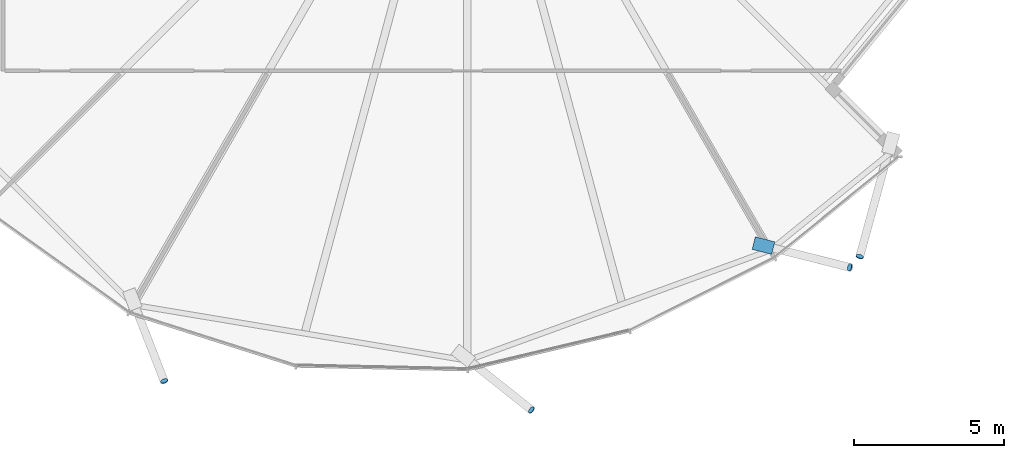
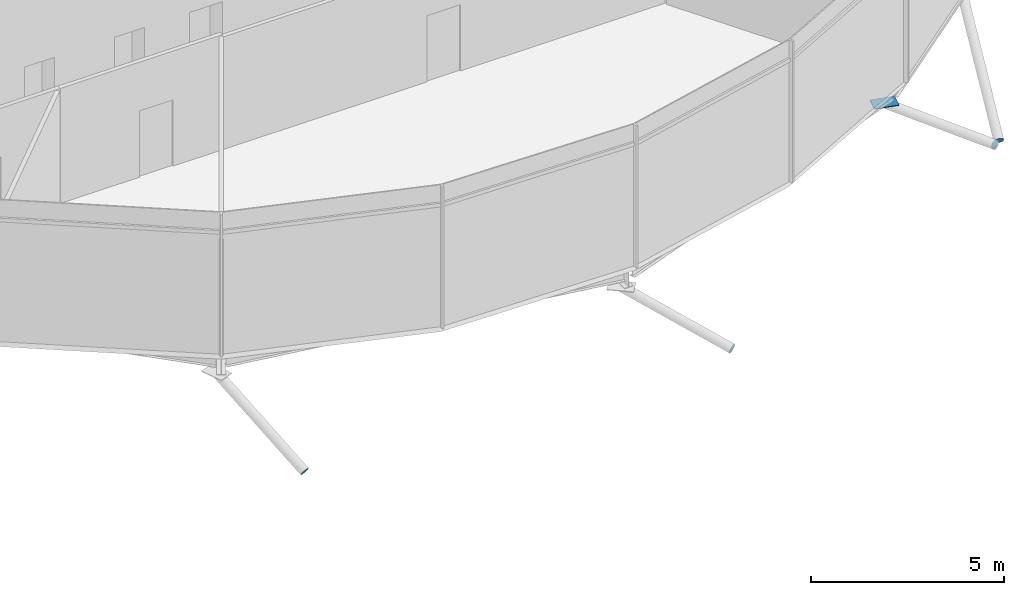
# One storey, part 32 of 36: 5 discrete accessories.
"""IFC4 building model written with IfcOpenShell, lengths in metres."""

from ifc_helpers import new_model, si_unit, direction, frame, origin, origin_2d, place, context, subcontext, project, spatial, polyline, rectangle, circle, outline, extrude, material, material_profile, profile_set, type_object, element, save


model = new_model("IFC4")

# Units and contexts
model_context = context("Model", 3, precision=1e-05, world=origin(), true_north=direction((0.0, 1.0)))
body_context = subcontext(model_context, "Body", "Model", "MODEL_VIEW")
ifc_project = project(units=[si_unit("LENGTHUNIT", "METRE"), si_unit("AREAUNIT", "SQUARE_METRE"), si_unit("VOLUMEUNIT", "CUBIC_METRE"), si_unit("PLANEANGLEUNIT", "RADIAN"), si_unit("MASSUNIT", "GRAM", prefix="KILO")], contexts=[model_context])

# Site, building, storey
site_placement = place(None, origin())
site = spatial("IfcSite", under=ifc_project, at=site_placement, CompositionType="ELEMENT")
building_placement = place(site_placement, origin())
building = spatial("IfcBuilding", under=site, at=building_placement, Name="Rimbun Link Towers", CompositionType="ELEMENT")
storey_placement = place(building_placement, frame((0.0, 0.0, 154.39990234375)))
storey = spatial("IfcBuildingStorey", under=building, at=storey_placement, Name="L37", CompositionType="ELEMENT", Elevation=154.39990234375)

# Discrete accessories
ifc_material_1 = material(Name="Steel S355J2H", Category="steel")
ifc_material_profile_1 = material_profile(ifc_material_1, circle(Radius=0.1240234375, at=origin_2d()), Name="PL D248")
ifc_profile_set_1 = profile_set([ifc_material_profile_1], Name="Steel S355J2H")
discrete_accessory_type_1 = type_object("IfcDiscreteAccessoryType", Name="Link foot sealing plate D248X20", PredefinedType="BRACKET", material=ifc_profile_set_1)
for number, where, z_axis, x_axis, name in (
    (1, (21.625, -21.85302734375, -2.72412109375), (0.303482100304, -0.78905346079, -0.534128496535), (0.933345606203, 0.358979079309, 0.0), "Link foot sealing plate T2 L37 13"),
    (2, (33.882080078125, -22.819580078125, -2.540283203125), (0.681458875301, -0.535431973451, -0.498925247988), (0.617821551932, 0.786318338822, 0.0), "Link foot sealing plate T2 L37 15"),
    (3, (44.50830078125, -18.060791015625, -2.677978515625), (0.817681428964, -0.207471407349, -0.536984819021), (0.245938119882, 0.969285531301, 0.0), "Link foot sealing plate T2 L37 17"),
    (4, (44.851318359375, -17.6953125, -2.88232421875), (-0.218829822647, -0.838847653482, -0.498445707141), (0.967617272397, -0.252421897147, 0.0), "Link foot sealing plate T2 L37 18"),
):
    element("IfcDiscreteAccessory", number, at=place(storey_placement, frame(where, z_axis=z_axis, x_axis=x_axis)), inside=storey, type_object=discrete_accessory_type_1, Name=name, PredefinedType="BRACKET", context=body_context, shape_type="SweptSolid", body=[
        extrude(circle(Radius=0.1240234375, at=origin_2d()), origin(), (0.0, 0.0, 1.0), 0.02001953125),
    ])
ifc_material_2 = material(Name="Steel S355J2H", Category="steel")
ifc_material_profile_2 = material_profile(ifc_material_2, rectangle(XDim=0.43310546875, YDim=0.43310546875, at=origin_2d()), Name="PL 433x433")
ifc_profile_set_2 = profile_set([ifc_material_profile_2], Name="Steel S355J2H")
discrete_accessory_type_2 = type_object("IfcDiscreteAccessoryType", Name="Link head end plate 433X20", PredefinedType="BRACKET", material=ifc_profile_set_2)
discrete_accessory_placement = place(storey_placement, frame((0.0, 0.0, -0.802490234375)))
element("IfcDiscreteAccessory", 5, at=discrete_accessory_placement, inside=storey, type_object=discrete_accessory_type_2, Name="Link head end plate T2 L37 17", PredefinedType="BRACKET", context=body_context, shape_type="SweptSolid", body=[
    extrude(outline(polyline([(41.256103515625, -17.46435546875), (41.906494140625, -17.62841796875), (42.01220703125, -17.20849609375), (41.362060546875, -17.04443359375), (41.256103515625, -17.46435546875)])), origin(), (0.0, 0.0, 1.0), 0.02001953125),
])

save(model, "model.ifc")
